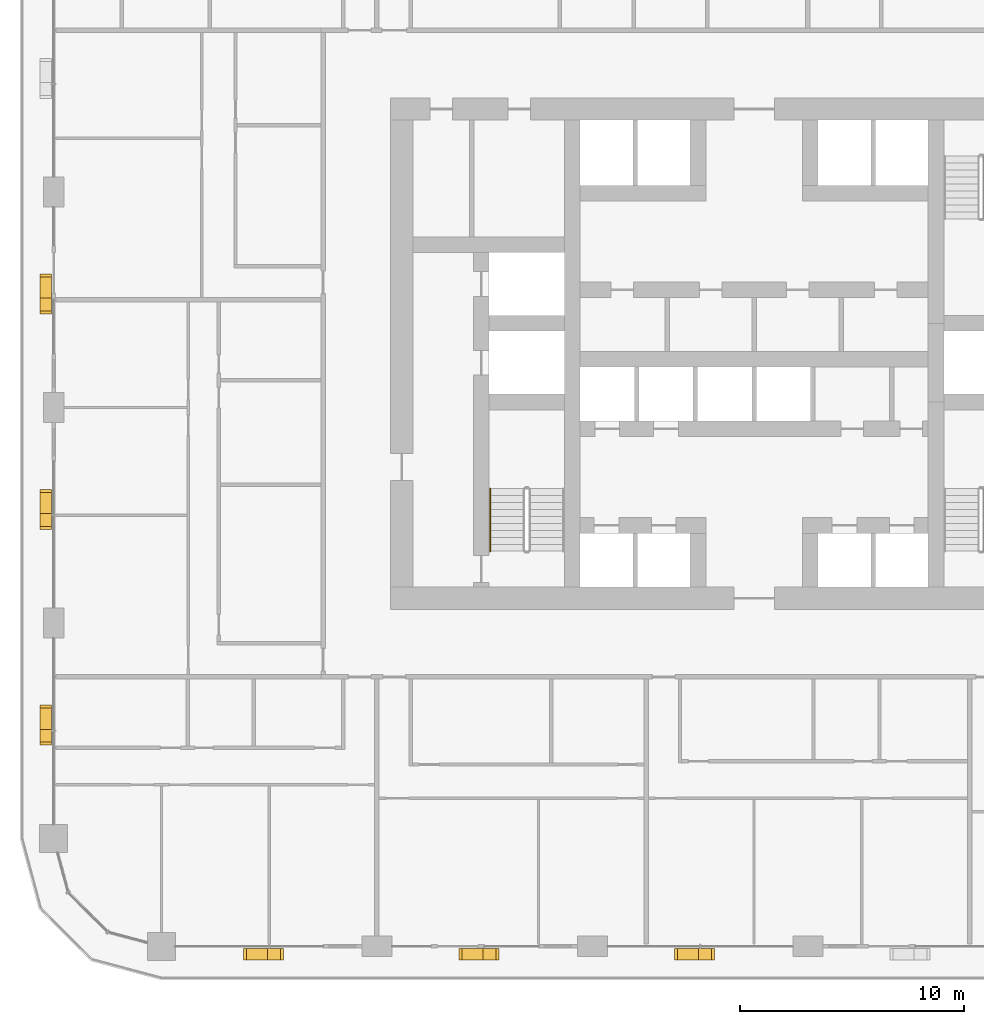
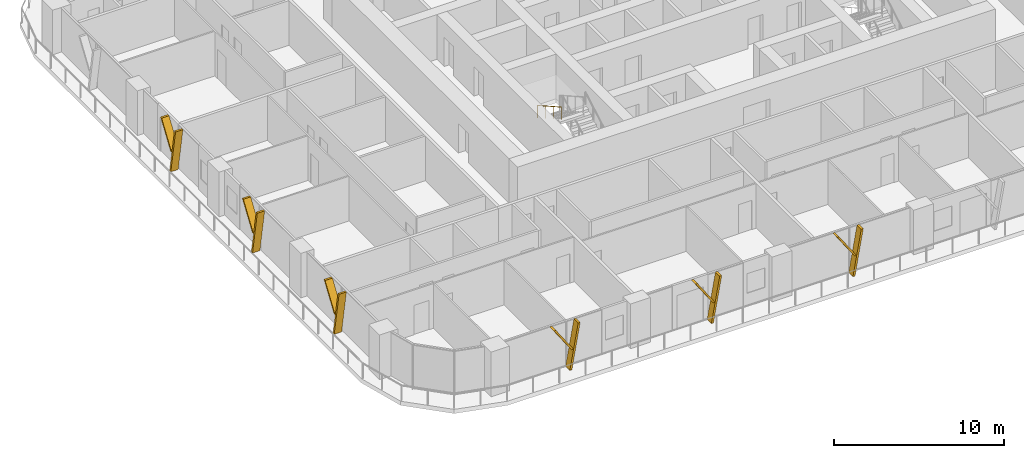
# One storey, part 16 of 21: 12 shading devices, 1 railing.
"""IFC4 building model written with IfcOpenShell, lengths in metres."""

import ifcopenshell
import ifcopenshell.guid

model = None  # the IFC model being written
_history = None  # IfcOwnerHistory: only IFC2X3 demands one
_inside = {}  # id of a spatial element -> (the spatial element, [elements in it])
_under = {}  # id of a project, library or spatial element -> (it, [spatial elements below it])
_declared = {}  # id of a project -> (the project, [libraries it declares])
_typed = {}  # id of a type object -> (the type object, [elements of that type])
_made_of = {}  # id of a material, layer set ... -> (it, [elements and type objects made of it])


def new_model(schema):
    """Start an empty IFC model of exactly this schema.

    Asked for "IFC4X3", IfcOpenShell would pick the latest addendum, in which some entities
    have other attributes; the version numbers below select the first issue.
    IFC2X3 requires an IfcOwnerHistory on every rooted entity: one is made here for all.
    """
    global model, _history
    if schema == "IFC4X3":
        model = ifcopenshell.file(schema_version=(4, 3, 0, 0))
    else:
        model = ifcopenshell.file(schema=schema)
    _inside.clear()
    _under.clear()
    _declared.clear()
    _typed.clear()
    _made_of.clear()
    _history = None
    if model.schema == "IFC2X3":
        org = make("IfcOrganization", Name="unknown")
        user = make(
            "IfcPersonAndOrganization",
            ThePerson=make("IfcPerson", FamilyName="unknown"),
            TheOrganization=org,
        )
        app = make(
            "IfcApplication",
            ApplicationDeveloper=org,
            Version="unknown",
            ApplicationFullName="unknown",
            ApplicationIdentifier="unknown",
        )
        _history = make(
            "IfcOwnerHistory",
            OwningUser=user,
            OwningApplication=app,
            ChangeAction="ADDED",
            CreationDate=0,
        )
    return model


def make(cls, **values):
    """One entity of the class cls with the attributes given. An attribute that is None is left unset."""
    return model.create_entity(
        cls, **{name: value for name, value in values.items() if value is not None}
    )


def rooted(cls, **values):
    """An entity with a GlobalId (a new one), such as an element, a storey or a relation."""
    return make(cls, GlobalId=ifcopenshell.guid.new(), OwnerHistory=_history, **values)


def si_unit(unit_type, name, prefix=None):
    """IfcSIUnit, for example si_unit("LENGTHUNIT", "METRE", prefix="MILLI")."""
    return make("IfcSIUnit", UnitType=unit_type, Prefix=prefix, Name=name)


def assignment(units):
    """IfcUnitAssignment: the units of a project."""
    return None if units is None else make("IfcUnitAssignment", Units=units)


def point(xyz):
    """IfcCartesianPoint."""
    return None if xyz is None else make("IfcCartesianPoint", Coordinates=xyz)


def direction(xyz):
    """IfcDirection."""
    return None if xyz is None else make("IfcDirection", DirectionRatios=xyz)


def frame(location, z_axis=None, x_axis=None):
    """IfcAxis2Placement3D, a coordinate frame: its origin and axes. An axis left out is left unset."""
    return make(
        "IfcAxis2Placement3D",
        Location=point(location),
        Axis=direction(z_axis),
        RefDirection=direction(x_axis),
    )


def frame_2d(location, x_axis=None):
    """IfcAxis2Placement2D, a coordinate frame in the plane: its origin and x axis."""
    return make(
        "IfcAxis2Placement2D", Location=point(location), RefDirection=direction(x_axis)
    )


def origin():
    """The frame at (0, 0, 0) with its axes left unset."""
    return frame((0.0, 0.0, 0.0))


def origin_2d():
    """The frame at (0, 0) in the plane with its x axis left unset."""
    return frame_2d((0.0, 0.0))


def place(relative_to, where):
    """IfcLocalPlacement: puts the frame where relative to a parent placement (None: the world)."""
    return make(
        "IfcLocalPlacement", PlacementRelTo=relative_to, RelativePlacement=where
    )


def context(
    kind, dimensions, precision=None, world=None, true_north=None, identifier=None
):
    """IfcGeometricRepresentationContext, for example the 3D "Model" context."""
    return make(
        "IfcGeometricRepresentationContext",
        ContextIdentifier=identifier,
        ContextType=kind,
        CoordinateSpaceDimension=dimensions,
        Precision=precision,
        WorldCoordinateSystem=world,
        TrueNorth=true_north,
    )


def subcontext(parent, identifier, kind, view, scale=None):
    """IfcGeometricRepresentationSubContext, for example "Body" below "Model"."""
    return make(
        "IfcGeometricRepresentationSubContext",
        ContextIdentifier=identifier,
        ContextType=kind,
        ParentContext=parent,
        TargetScale=scale,
        TargetView=view,
    )


def project(units=None, contexts=None):
    """IfcProject with its units and contexts."""
    return rooted(
        "IfcProject",
        Name="project",
        RepresentationContexts=contexts,
        UnitsInContext=assignment(units),
    )


def spatial(cls, under=None, at=None, **own):
    """A site, building, storey or space (cls), placed at a placement, below another one or the project."""
    s = rooted(cls, ObjectPlacement=at, **own)
    if under is not None:
        _under.setdefault(under.id(), (under, []))[1].append(s)
    return s


def polyline(points):
    """IfcPolyline through the points."""
    return make("IfcPolyline", Points=[point(p) for p in points])


def profile(cls, at=None, kind="AREA", **sizes):
    """A parametric profile (cls). Its sizes go by their IFC names, for example OverallWidth=200.0."""
    return make(cls, ProfileType=kind, Position=at, **sizes)


def circle(**sizes):
    """IfcCircleProfileDef."""
    return profile("IfcCircleProfileDef", **sizes)


def outline(outer, holes=None, kind="AREA"):
    """IfcArbitraryClosedProfileDef: a profile drawn as a closed curve; with holes, ...WithVoids."""
    if holes is None:
        return make("IfcArbitraryClosedProfileDef", ProfileType=kind, OuterCurve=outer)
    return make(
        "IfcArbitraryProfileDefWithVoids",
        ProfileType=kind,
        OuterCurve=outer,
        InnerCurves=holes,
    )


def extrude(swept, where, along, depth):
    """IfcExtrudedAreaSolid: the profile swept, set in the frame where, extruded along a direction by depth."""
    return make(
        "IfcExtrudedAreaSolid",
        SweptArea=swept,
        Position=where,
        ExtrudedDirection=direction(along),
        Depth=depth,
    )


def shape(context_of_items, identifier, shape_type, items):
    """IfcShapeRepresentation: the items that make up one representation, for example the "Body"."""
    return make(
        "IfcShapeRepresentation",
        ContextOfItems=context_of_items,
        RepresentationIdentifier=identifier,
        RepresentationType=shape_type,
        Items=items,
    )


def material(Name=None, Category=None):
    """IfcMaterial."""
    return make("IfcMaterial", Name=Name, Category=Category)


def made_of(thing, what):
    """Note that an element or type object is made of a material, layer set ...; save() writes the relation."""
    if what is not None:
        _made_of.setdefault(what.id(), (what, []))[1].append(thing)
    return thing


def type_object(cls, material=None, **own):
    """A type object (cls), such as IfcWallType, which elements share."""
    return made_of(rooted(cls, **own), material)


def element(
    cls,
    number,
    at=None,
    inside=None,
    cuts=None,
    type_object=None,
    material=None,
    context=None,
    identifier="Body",
    shape_type=None,
    held_by="IfcProductDefinitionShape",
    body=None,
    shapes=None,
    **own,
):
    """One element of the class cls, such as IfcWall. Its Tag is "e" and its number.

    at: its placement. inside: the storey or other place that contains it. cuts: it is an
    opening in that element (IfcRelVoidsElement). A single representation is given by context,
    identifier, shape_type and body (its items); several are given by shapes. held_by: the class
    of the entity that holds the representations. save() writes the other relations.
    """
    e = rooted(cls, Tag="e%d" % number, ObjectPlacement=at, **own)
    if body is not None:
        shapes = [shape(context, identifier, shape_type, body)]
    if shapes is not None:
        e.Representation = make(held_by, Representations=shapes)
    if inside is not None:
        _inside.setdefault(inside.id(), (inside, []))[1].append(e)
    if cuts is not None:
        rooted(
            "IfcRelVoidsElement", RelatingBuildingElement=cuts, RelatedOpeningElement=e
        )
    if type_object is not None:
        _typed.setdefault(type_object.id(), (type_object, []))[1].append(e)
    return made_of(e, material)


def aggregate(whole, parts):
    """IfcRelAggregates: a whole, such as a stair, and the parts it consists of."""
    return rooted("IfcRelAggregates", RelatingObject=whole, RelatedObjects=parts)


def save(model, path):
    """Write the relations noted so far, then the file.

    IfcRelAggregates (storeys below a building ...), IfcRelContainedInSpatialStructure (elements
    in a storey), IfcRelDefinesByType, IfcRelAssociatesMaterial and IfcRelDeclares: one each for
    every whole, place, type object, material and project.
    """
    for whole, parts in _under.values():
        aggregate(whole, parts)
    for where, things in _inside.values():
        rooted(
            "IfcRelContainedInSpatialStructure",
            RelatedElements=things,
            RelatingStructure=where,
        )
    for kind, things in _typed.values():
        rooted("IfcRelDefinesByType", RelatedObjects=things, RelatingType=kind)
    for what, things in _made_of.values():
        rooted("IfcRelAssociatesMaterial", RelatedObjects=things, RelatingMaterial=what)
    for by, libraries in _declared.values():
        rooted("IfcRelDeclares", RelatingContext=by, RelatedDefinitions=libraries)
    model.write(path)


model = new_model("IFC4")

# Units and contexts
model_context = context("Model", 3, precision=1e-05, world=origin(), true_north=direction((0.0, 1.0)))
body_context = subcontext(model_context, "Body", "Model", "MODEL_VIEW")
ifc_project = project(units=[si_unit("LENGTHUNIT", "METRE"), si_unit("AREAUNIT", "SQUARE_METRE"), si_unit("VOLUMEUNIT", "CUBIC_METRE"), si_unit("PLANEANGLEUNIT", "RADIAN"), si_unit("MASSUNIT", "GRAM", prefix="KILO")], contexts=[model_context])

# Site, building, storey
site_placement = place(None, origin())
site = spatial("IfcSite", under=ifc_project, at=site_placement, CompositionType="ELEMENT")
building_placement = place(site_placement, origin())
building = spatial("IfcBuilding", under=site, at=building_placement, Name="Madar Terraces", CompositionType="ELEMENT")
storey_placement = place(building_placement, frame((0.0, 0.0, 36.39990234375)))
storey = spatial("IfcBuildingStorey", under=building, at=storey_placement, Name="L08", CompositionType="ELEMENT", Elevation=36.39990234375)

# Shading devices
ifc_material_1 = material(Name="Aluminium, black anodised", Category="aluminium")
shading_device_type = type_object("IfcShadingDeviceType", Name="Facade fin blade 140 x 500", PredefinedType="USERDEFINED", material=ifc_material_1)
shading_device_1_placement = place(storey_placement, frame((9.530029296875, -0.35009765625, 0.0), z_axis=(0.0, 0.0, 1.0), x_axis=(1.0, 0.0, 0.0)))
element("IfcShadingDevice", 1, at=shading_device_1_placement, inside=storey, type_object=shading_device_type, Name="FIN L08 S1", ObjectType="FIN", PredefinedType="USERDEFINED", context=body_context, shape_type="SweptSolid", body=[
    extrude(outline(polyline([(0.0, 0.0), (0.139892578125, 0.0), (0.704345703125, 3.2001953125), (0.564208984375, 3.2001953125), (0.0, 0.0)])), frame((0.0, 0.25, 0.0), z_axis=(0.0, -1.0, 0.0), x_axis=(1.0, 0.0, 0.0)), (0.0, 0.0, 1.0), 0.5),
])
shading_device_2_placement = place(storey_placement, frame((9.643798828125, -0.35009765625, 1.440185546875), z_axis=(0.0, 0.0, 1.0), x_axis=(1.0, 0.0, 0.0)))
element("IfcShadingDevice", 2, at=shading_device_2_placement, inside=storey, type_object=shading_device_type, Name="FIN L08 S1 branch", ObjectType="FIN", PredefinedType="USERDEFINED", context=body_context, shape_type="SweptSolid", body=[
    extrude(outline(polyline([(0.0, 0.0), (0.14013671875, 0.0), (-1.049560546875, 1.760009765625), (-1.189697265625, 1.760009765625), (0.0, 0.0)])), frame((0.0, 0.25, 0.0), z_axis=(0.0, -1.0, 0.0), x_axis=(1.0, 0.0, 0.0)), (0.0, 0.0, 1.0), 0.5),
])
shading_device_3_placement = place(storey_placement, frame((19.1298828125, -0.35009765625, 0.0), z_axis=(0.0, 0.0, 1.0), x_axis=(1.0, 0.0, 0.0)))
element("IfcShadingDevice", 3, at=shading_device_3_placement, inside=storey, type_object=shading_device_type, Name="FIN L08 S2", ObjectType="FIN", PredefinedType="USERDEFINED", context=body_context, shape_type="SweptSolid", body=[
    extrude(outline(polyline([(0.0, 0.0), (0.14013671875, 0.0), (0.704345703125, 3.2001953125), (0.564208984375, 3.2001953125), (0.0, 0.0)])), frame((0.0, 0.25, 0.0), z_axis=(0.0, -1.0, 0.0), x_axis=(1.0, 0.0, 0.0)), (0.0, 0.0, 1.0), 0.5),
])
shading_device_4_placement = place(storey_placement, frame((19.243896484375, -0.35009765625, 1.440185546875), z_axis=(0.0, 0.0, 1.0), x_axis=(1.0, 0.0, 0.0)))
element("IfcShadingDevice", 4, at=shading_device_4_placement, inside=storey, type_object=shading_device_type, Name="FIN L08 S2 branch", ObjectType="FIN", PredefinedType="USERDEFINED", context=body_context, shape_type="SweptSolid", body=[
    extrude(outline(polyline([(0.0, 0.0), (0.139892578125, 0.0), (-1.049560546875, 1.760009765625), (-1.189697265625, 1.760009765625), (0.0, 0.0)])), frame((0.0, 0.25, 0.0), z_axis=(0.0, -1.0, 0.0), x_axis=(1.0, 0.0, 0.0)), (0.0, 0.0, 1.0), 0.5),
])
shading_device_5_placement = place(storey_placement, frame((28.72998046875, -0.35009765625, 0.0), z_axis=(0.0, 0.0, 1.0), x_axis=(1.0, 0.0, 0.0)))
element("IfcShadingDevice", 5, at=shading_device_5_placement, inside=storey, type_object=shading_device_type, Name="FIN L08 S3", ObjectType="FIN", PredefinedType="USERDEFINED", context=body_context, shape_type="SweptSolid", body=[
    extrude(outline(polyline([(0.0, 0.0), (0.14013671875, 0.0), (0.704345703125, 3.2001953125), (0.564208984375, 3.2001953125), (0.0, 0.0)])), frame((0.0, 0.25, 0.0), z_axis=(0.0, -1.0, 0.0), x_axis=(1.0, 0.0, 0.0)), (0.0, 0.0, 1.0), 0.5),
])
shading_device_6_placement = place(storey_placement, frame((28.843994140625, -0.35009765625, 1.440185546875), z_axis=(0.0, 0.0, 1.0), x_axis=(1.0, 0.0, 0.0)))
element("IfcShadingDevice", 6, at=shading_device_6_placement, inside=storey, type_object=shading_device_type, Name="FIN L08 S3 branch", ObjectType="FIN", PredefinedType="USERDEFINED", context=body_context, shape_type="SweptSolid", body=[
    extrude(outline(polyline([(0.0, 0.0), (0.139892578125, 0.0), (-1.049560546875, 1.760009765625), (-1.189697265625, 1.760009765625), (0.0, 0.0)])), frame((0.0, 0.25, 0.0), z_axis=(0.0, -1.0, 0.0), x_axis=(1.0, 0.0, 0.0)), (0.0, 0.0, 1.0), 0.5),
])
shading_device_7_placement = place(storey_placement, frame((-0.35009765625, 28.8701171875, 0.0), z_axis=(0.0, 0.0, 1.0), x_axis=(0.0, -1.0, 0.0)))
element("IfcShadingDevice", 7, at=shading_device_7_placement, inside=storey, type_object=shading_device_type, Name="FIN L08 W2", ObjectType="FIN", PredefinedType="USERDEFINED", context=body_context, shape_type="SweptSolid", body=[
    extrude(outline(polyline([(0.0, 0.0), (0.14013671875, 0.0), (0.704345703125, 3.2001953125), (0.564208984375, 3.2001953125), (0.0, 0.0)])), frame((0.0, 0.25, 0.0), z_axis=(0.0, -1.0, 0.0), x_axis=(1.0, 0.0, 0.0)), (0.0, 0.0, 1.0), 0.5),
])
shading_device_8_placement = place(storey_placement, frame((-0.35009765625, 28.756103515625, 1.440185546875), z_axis=(0.0, 0.0, 1.0), x_axis=(0.0, -1.0, 0.0)))
element("IfcShadingDevice", 8, at=shading_device_8_placement, inside=storey, type_object=shading_device_type, Name="FIN L08 W2 branch", ObjectType="FIN", PredefinedType="USERDEFINED", context=body_context, shape_type="SweptSolid", body=[
    extrude(outline(polyline([(0.0, 0.0), (0.139892578125, 0.0), (-1.049560546875, 1.760009765625), (-1.189697265625, 1.760009765625), (0.0, 0.0)])), frame((0.0, 0.25, 0.0), z_axis=(0.0, -1.0, 0.0), x_axis=(1.0, 0.0, 0.0)), (0.0, 0.0, 1.0), 0.5),
])
shading_device_9_placement = place(storey_placement, frame((-0.35009765625, 19.27001953125, 0.0), z_axis=(0.0, 0.0, 1.0), x_axis=(0.0, -1.0, 0.0)))
element("IfcShadingDevice", 9, at=shading_device_9_placement, inside=storey, type_object=shading_device_type, Name="FIN L08 W3", ObjectType="FIN", PredefinedType="USERDEFINED", context=body_context, shape_type="SweptSolid", body=[
    extrude(outline(polyline([(0.0, 0.0), (0.14013671875, 0.0), (0.704345703125, 3.2001953125), (0.564208984375, 3.2001953125), (0.0, 0.0)])), frame((0.0, 0.25, 0.0), z_axis=(0.0, -1.0, 0.0), x_axis=(1.0, 0.0, 0.0)), (0.0, 0.0, 1.0), 0.5),
])
shading_device_10_placement = place(storey_placement, frame((-0.35009765625, 19.156005859375, 1.440185546875), z_axis=(0.0, 0.0, 1.0), x_axis=(0.0, -1.0, 0.0)))
element("IfcShadingDevice", 10, at=shading_device_10_placement, inside=storey, type_object=shading_device_type, Name="FIN L08 W3 branch", ObjectType="FIN", PredefinedType="USERDEFINED", context=body_context, shape_type="SweptSolid", body=[
    extrude(outline(polyline([(0.0, 0.0), (0.139892578125, 0.0), (-1.049560546875, 1.760009765625), (-1.189697265625, 1.760009765625), (0.0, 0.0)])), frame((0.0, 0.25, 0.0), z_axis=(0.0, -1.0, 0.0), x_axis=(1.0, 0.0, 0.0)), (0.0, 0.0, 1.0), 0.5),
])
shading_device_11_placement = place(storey_placement, frame((-0.35009765625, 9.669921875, 0.0), z_axis=(0.0, 0.0, 1.0), x_axis=(0.0, -1.0, 0.0)))
element("IfcShadingDevice", 11, at=shading_device_11_placement, inside=storey, type_object=shading_device_type, Name="FIN L08 W4", ObjectType="FIN", PredefinedType="USERDEFINED", context=body_context, shape_type="SweptSolid", body=[
    extrude(outline(polyline([(0.0, 0.0), (0.139892578125, 0.0), (0.704345703125, 3.2001953125), (0.564208984375, 3.2001953125), (0.0, 0.0)])), frame((0.0, 0.25, 0.0), z_axis=(0.0, -1.0, 0.0), x_axis=(1.0, 0.0, 0.0)), (0.0, 0.0, 1.0), 0.5),
])
shading_device_12_placement = place(storey_placement, frame((-0.35009765625, 9.55615234375, 1.440185546875), z_axis=(0.0, 0.0, 1.0), x_axis=(0.0, -1.0, 0.0)))
element("IfcShadingDevice", 12, at=shading_device_12_placement, inside=storey, type_object=shading_device_type, Name="FIN L08 W4 branch", ObjectType="FIN", PredefinedType="USERDEFINED", context=body_context, shape_type="SweptSolid", body=[
    extrude(outline(polyline([(0.0, 0.0), (0.14013671875, 0.0), (-1.049560546875, 1.760009765625), (-1.189697265625, 1.760009765625), (0.0, 0.0)])), frame((0.0, 0.25, 0.0), z_axis=(0.0, -1.0, 0.0), x_axis=(1.0, 0.0, 0.0)), (0.0, 0.0, 1.0), 0.5),
])

# Railing
ifc_material_2 = material(Name="Stainless steel railing", Category="steel")
railing_type = type_object("IfcRailingType", Name="Stair handrail 900", PredefinedType="HANDRAIL", material=ifc_material_2)
railing_placement = place(storey_placement, frame((19.449951171875, 20.389892578125, 1.925048828125)))
element("IfcRailing", 13, at=railing_placement, inside=storey, type_object=railing_type, Name="L08 ST1 stair handrail 2", PredefinedType="HANDRAIL", context=body_context, shape_type="SweptSolid", body=[
    extrude(circle(Radius=0.02392578125, at=origin_2d()), frame((0.0, 0.0, 0.8759765625), z_axis=(0.0, -0.870815363784, 0.491610213684), x_axis=(1.0, 0.0, 0.0)), (0.0, 0.0, 1.0), 3.20361328125),
    extrude(circle(Radius=0.02099609375, at=origin_2d()), origin(), (0.0, 0.0, 1.0), 0.851806640625),
    extrude(circle(Radius=0.02099609375, at=origin_2d()), frame((0.0, -0.929931640625, 0.52490234375)), (0.0, 0.0, 1.0), 0.851806640625),
    extrude(circle(Radius=0.02099609375, at=origin_2d()), frame((0.0, -1.85986328125, 1.050048828125)), (0.0, 0.0, 1.0), 0.851806640625),
    extrude(circle(Radius=0.02099609375, at=origin_2d()), frame((0.0, -2.789794921875, 1.574951171875)), (0.0, 0.0, 1.0), 0.851806640625),
])

save(model, "model.ifc")
